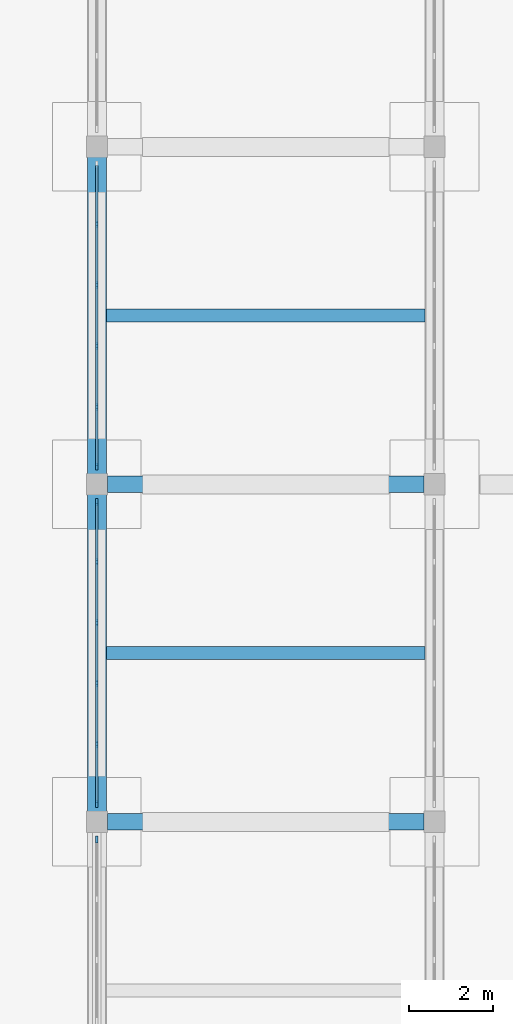
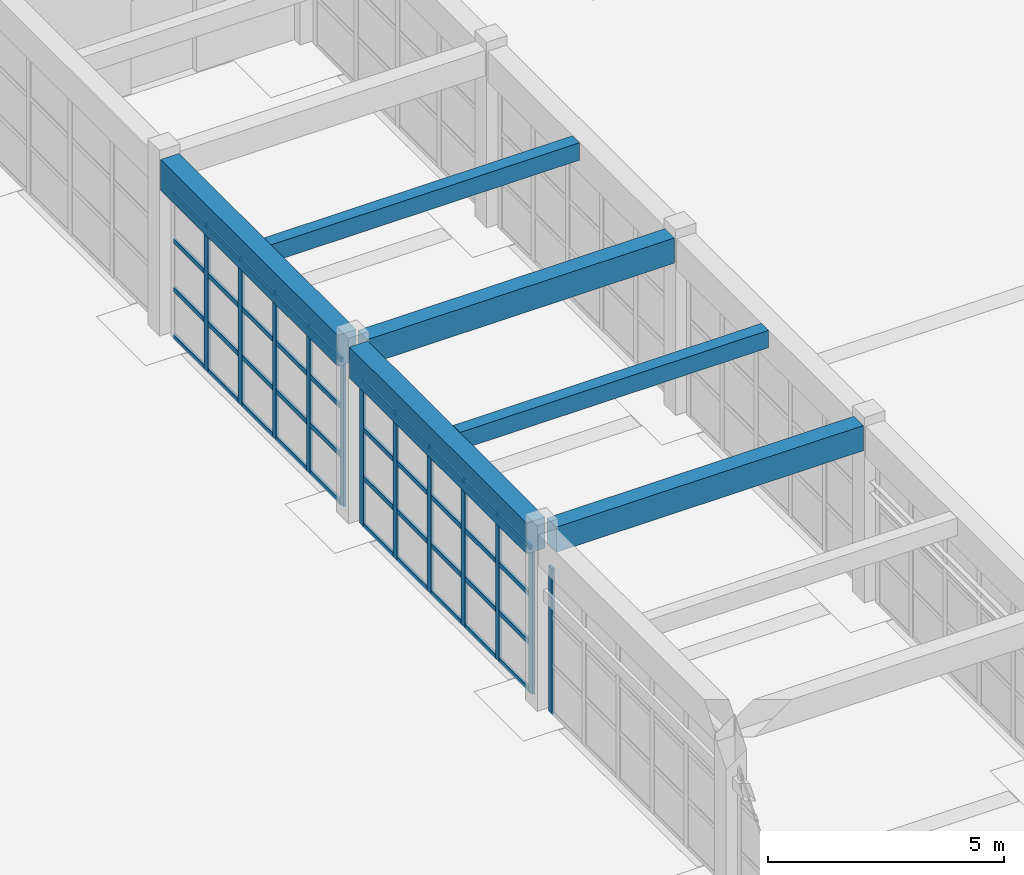
# One storey, part 24 of 68: 52 members, 6 beams, 3 elements without a shape of their own.
"""IFC4 building model written with IfcOpenShell, lengths in metres."""

from ifc_helpers import new_model, si_unit, direction, frame, origin, origin_2d, place, context, subcontext, project, spatial, rectangle, extrude, material, material_profile, profile_set, type_object, element, aggregate, save


model = new_model("IFC4")

# Units and contexts
model_context = context("Model", 3, precision=1e-05, world=origin(), true_north=direction((0.0, 1.0)))
body_context = subcontext(model_context, "Body", "Model", "MODEL_VIEW")
ifc_project = project(units=[si_unit("LENGTHUNIT", "METRE"), si_unit("AREAUNIT", "SQUARE_METRE"), si_unit("VOLUMEUNIT", "CUBIC_METRE"), si_unit("PLANEANGLEUNIT", "RADIAN"), si_unit("MASSUNIT", "GRAM", prefix="KILO")], contexts=[model_context])

# Site, building, storey
site_placement = place(None, origin())
site = spatial("IfcSite", under=ifc_project, at=site_placement, CompositionType="ELEMENT")
building_placement = place(site_placement, origin())
building = spatial("IfcBuilding", under=site, at=building_placement, Name="Serraluz Foothill Cableway Terminal", CompositionType="ELEMENT")
storey_placement = place(building_placement, origin())
storey = spatial("IfcBuildingStorey", under=building, at=storey_placement, Name="L00", CompositionType="ELEMENT", Elevation=0.0)

# Beams
ifc_material_1 = material(Name="Concrete C28/35 (f'c 28 MPa)", Category="concrete")
ifc_material_profile_1 = material_profile(ifc_material_1, rectangle(XDim=0.39990234375, YDim=0.64990234375, at=origin_2d()), Name="RC 400x650")
ifc_profile_set_1 = profile_set([ifc_material_profile_1], Name="Concrete C28/35 (f'c 28 MPa)")
beam_type_1 = type_object("IfcBeamType", Name="TYP-BM-RC400X650", PredefinedType="BEAM", material=ifc_profile_set_1)
for number, where, z_axis, x_axis, name in (
    (1, (120.24609375, 32.0, 4.235107421875), (1.0, 0.0, 0.0), (0.0, 1.0, 0.0), "Primary Girder BM-X-L00-0051"),
    (2, (120.24609375, 40.0, 4.235107421875), (1.0, 0.0, 0.0), (0.0, 1.0, 0.0), "Primary Girder BM-X-L00-0052"),
):
    element("IfcBeam", number, at=place(storey_placement, frame(where, z_axis=z_axis, x_axis=x_axis)), inside=storey, type_object=beam_type_1, Name=name, PredefinedType="BEAM", context=body_context, shape_type="SweptSolid", body=[
        extrude(rectangle(XDim=0.39990234375, YDim=0.64990234375, at=origin_2d()), origin(), (0.0, 0.0, 1.0), 7.5078125),
    ])
ifc_material_2 = material(Name="Concrete C35/45 (f'c 35 MPa)", Category="concrete")
ifc_material_profile_2 = material_profile(ifc_material_2, rectangle(XDim=0.449951171875, YDim=0.800048828125, at=origin_2d()), Name="RC 450x800")
ifc_profile_set_2 = profile_set([ifc_material_profile_2], Name="Concrete C35/45 (f'c 35 MPa)")
beam_type_2 = type_object("IfcBeamType", Name="TYP-BM-RC450X800", PredefinedType="BEAM", material=ifc_profile_set_2)
for number, where, z_axis, x_axis, name in (
    (3, (120.0, 32.24609375, 4.159912109375), (0.0, 1.0, 0.0), (-1.0, 0.0, 0.0), "Transverse Girder BM-Y-L00-0159"),
    (4, (120.0, 40.24609375, 4.159912109375), (0.0, 1.0, 0.0), (-1.0, 0.0, 0.0), "Transverse Girder BM-Y-L00-0160"),
):
    element("IfcBeam", number, at=place(storey_placement, frame(where, z_axis=z_axis, x_axis=x_axis)), inside=storey, type_object=beam_type_2, Name=name, PredefinedType="BEAM", context=body_context, shape_type="SweptSolid", body=[
        extrude(rectangle(XDim=0.449951171875, YDim=0.800048828125, at=origin_2d()), origin(), (0.0, 0.0, 1.0), 7.5078125),
    ])

# Curtain wall, member
ifc_material_3 = material(Name="Architectural bronze alloy C28000", Category="aluminium")
curtain_wall_type = type_object("IfcCurtainWallType", Name="TYP-CW-710X420", PredefinedType="NOTDEFINED", material=ifc_material_3)
curtain_wall_1_placement = place(storey_placement, origin())
curtain_wall_1 = element("IfcCurtainWall", 5, at=curtain_wall_1_placement, inside=storey, type_object=curtain_wall_type, Name="Ribbed Glazed Curtain Wall CW-CLW-L00-24", PredefinedType="NOTDEFINED")
ifc_material_profile_3 = material_profile(ifc_material_3, rectangle(XDim=0.06005859375, YDim=0.159912109375, at=origin_2d()), Name="ALU MULLION 60x160")
ifc_profile_set_3 = profile_set([ifc_material_profile_3], Name="Architectural bronze alloy C28000")
member_type_1 = type_object("IfcMemberType", Name="TYP-CW-MUL-60X160", PredefinedType="MULLION", material=ifc_profile_set_3)
member_1_placement = place(storey_placement, frame((120.0, 31.580078125, 0.0), z_axis=(0.0, 0.0, 1.0), x_axis=(-1.0, 0.0, 0.0)))
member_1 = element("IfcMember", 6, at=member_1_placement, type_object=member_type_1, Name="CW-01 mullion 6", PredefinedType="MULLION", context=body_context, shape_type="SweptSolid", body=[
    extrude(rectangle(XDim=0.06005859375, YDim=0.159912109375, at=origin_2d()), origin(), (0.0, 0.0, 1.0), 3.760009765625),
])
aggregate(curtain_wall_1, [member_1])

# Curtain wall, members
curtain_wall_2_placement = place(storey_placement, origin())
curtain_wall_2 = element("IfcCurtainWall", 7, at=curtain_wall_2_placement, inside=storey, type_object=curtain_wall_type, Name="Ribbed Glazed Curtain Wall CW-CLW-L00-32", PredefinedType="NOTDEFINED")
member_2_placement = place(storey_placement, frame((120.0, 32.419921875, 0.0), z_axis=(0.0, 0.0, 1.0), x_axis=(-1.0, 0.0, 0.0)))
member_2 = element("IfcMember", 8, at=member_2_placement, type_object=member_type_1, Name="CW-01 mullion 1", PredefinedType="MULLION", context=body_context, shape_type="SweptSolid", body=[
    extrude(rectangle(XDim=0.06005859375, YDim=0.159912109375, at=origin_2d()), origin(), (0.0, 0.0, 1.0), 3.760009765625),
])
member_3_placement = place(storey_placement, frame((120.0, 33.833984375, 0.0), z_axis=(0.0, 0.0, 1.0), x_axis=(-1.0, 0.0, 0.0)))
member_3 = element("IfcMember", 9, at=member_3_placement, type_object=member_type_1, Name="CW-01 mullion 2", PredefinedType="MULLION", context=body_context, shape_type="SweptSolid", body=[
    extrude(rectangle(XDim=0.06005859375, YDim=0.159912109375, at=origin_2d()), origin(), (0.0, 0.0, 1.0), 3.760009765625),
])
member_4_placement = place(storey_placement, frame((120.0, 35.278076171875, 0.0), z_axis=(0.0, 0.0, 1.0), x_axis=(-1.0, 0.0, 0.0)))
member_4 = element("IfcMember", 10, at=member_4_placement, type_object=member_type_1, Name="CW-01 mullion 3", PredefinedType="MULLION", context=body_context, shape_type="SweptSolid", body=[
    extrude(rectangle(XDim=0.06005859375, YDim=0.159912109375, at=origin_2d()), origin(), (0.0, 0.0, 1.0), 3.760009765625),
])
member_5_placement = place(storey_placement, frame((120.0, 36.721923828125, 0.0), z_axis=(0.0, 0.0, 1.0), x_axis=(-1.0, 0.0, 0.0)))
member_5 = element("IfcMember", 11, at=member_5_placement, type_object=member_type_1, Name="CW-01 mullion 4", PredefinedType="MULLION", context=body_context, shape_type="SweptSolid", body=[
    extrude(rectangle(XDim=0.06005859375, YDim=0.159912109375, at=origin_2d()), origin(), (0.0, 0.0, 1.0), 3.760009765625),
])
member_6_placement = place(storey_placement, frame((120.0, 38.166015625, 0.0), z_axis=(0.0, 0.0, 1.0), x_axis=(-1.0, 0.0, 0.0)))
member_6 = element("IfcMember", 12, at=member_6_placement, type_object=member_type_1, Name="CW-01 mullion 5", PredefinedType="MULLION", context=body_context, shape_type="SweptSolid", body=[
    extrude(rectangle(XDim=0.06005859375, YDim=0.159912109375, at=origin_2d()), origin(), (0.0, 0.0, 1.0), 3.760009765625),
])
member_7_placement = place(storey_placement, frame((120.0, 39.580078125, 0.0), z_axis=(0.0, 0.0, 1.0), x_axis=(-1.0, 0.0, 0.0)))
member_7 = element("IfcMember", 13, at=member_7_placement, type_object=member_type_1, Name="CW-01 mullion 6", PredefinedType="MULLION", context=body_context, shape_type="SweptSolid", body=[
    extrude(rectangle(XDim=0.06005859375, YDim=0.159912109375, at=origin_2d()), origin(), (0.0, 0.0, 1.0), 3.760009765625),
])

curtain_wall_3_placement = place(storey_placement, origin())
curtain_wall_3 = element("IfcCurtainWall", 14, at=curtain_wall_3_placement, inside=storey, type_object=curtain_wall_type, Name="Ribbed Glazed Curtain Wall CW-CLW-L00-40", PredefinedType="NOTDEFINED")
member_8_placement = place(storey_placement, frame((120.0, 40.419921875, 0.0), z_axis=(0.0, 0.0, 1.0), x_axis=(-1.0, 0.0, 0.0)))
member_8 = element("IfcMember", 15, at=member_8_placement, type_object=member_type_1, Name="CW-01 mullion 1", PredefinedType="MULLION", context=body_context, shape_type="SweptSolid", body=[
    extrude(rectangle(XDim=0.06005859375, YDim=0.159912109375, at=origin_2d()), origin(), (0.0, 0.0, 1.0), 3.760009765625),
])
member_9_placement = place(storey_placement, frame((120.0, 41.833984375, 0.0), z_axis=(0.0, 0.0, 1.0), x_axis=(-1.0, 0.0, 0.0)))
member_9 = element("IfcMember", 16, at=member_9_placement, type_object=member_type_1, Name="CW-01 mullion 2", PredefinedType="MULLION", context=body_context, shape_type="SweptSolid", body=[
    extrude(rectangle(XDim=0.06005859375, YDim=0.159912109375, at=origin_2d()), origin(), (0.0, 0.0, 1.0), 3.760009765625),
])
member_10_placement = place(storey_placement, frame((120.0, 43.278076171875, 0.0), z_axis=(0.0, 0.0, 1.0), x_axis=(-1.0, 0.0, 0.0)))
member_10 = element("IfcMember", 17, at=member_10_placement, type_object=member_type_1, Name="CW-01 mullion 3", PredefinedType="MULLION", context=body_context, shape_type="SweptSolid", body=[
    extrude(rectangle(XDim=0.06005859375, YDim=0.159912109375, at=origin_2d()), origin(), (0.0, 0.0, 1.0), 3.760009765625),
])
member_11_placement = place(storey_placement, frame((120.0, 44.721923828125, 0.0), z_axis=(0.0, 0.0, 1.0), x_axis=(-1.0, 0.0, 0.0)))
member_11 = element("IfcMember", 18, at=member_11_placement, type_object=member_type_1, Name="CW-01 mullion 4", PredefinedType="MULLION", context=body_context, shape_type="SweptSolid", body=[
    extrude(rectangle(XDim=0.06005859375, YDim=0.159912109375, at=origin_2d()), origin(), (0.0, 0.0, 1.0), 3.760009765625),
])
member_12_placement = place(storey_placement, frame((120.0, 46.166015625, 0.0), z_axis=(0.0, 0.0, 1.0), x_axis=(-1.0, 0.0, 0.0)))
member_12 = element("IfcMember", 19, at=member_12_placement, type_object=member_type_1, Name="CW-01 mullion 5", PredefinedType="MULLION", context=body_context, shape_type="SweptSolid", body=[
    extrude(rectangle(XDim=0.06005859375, YDim=0.159912109375, at=origin_2d()), origin(), (0.0, 0.0, 1.0), 3.760009765625),
])

# Member
ifc_material_profile_4 = material_profile(ifc_material_3, rectangle(XDim=0.06005859375, YDim=0.1201171875, at=origin_2d()), Name="ALU TRANSOM 60x120")
ifc_profile_set_4 = profile_set([ifc_material_profile_4], Name="Architectural bronze alloy C28000")
member_type_2 = type_object("IfcMemberType", Name="TYP-CW-TRN-60X120", PredefinedType="USERDEFINED", material=ifc_profile_set_4)
member_13_placement = place(storey_placement, frame((120.0, 32.449951171875, 0.030029296875), z_axis=(0.0, 1.0, 0.0), x_axis=(-1.0, 0.0, 0.0)))
member_13 = element("IfcMember", 20, at=member_13_placement, type_object=member_type_2, Name="CW-01 transom 1.1", ObjectType="TRANSOM", PredefinedType="USERDEFINED", context=body_context, shape_type="SweptSolid", body=[
    extrude(rectangle(XDim=0.06005859375, YDim=0.1201171875, at=origin_2d()), origin(), (0.0, 0.0, 1.0), 1.35400390625),
])

member_14_placement = place(storey_placement, frame((120.0, 32.449951171875, 1.25341796875), z_axis=(0.0, 1.0, 0.0), x_axis=(-1.0, 0.0, 0.0)))
member_14 = element("IfcMember", 21, at=member_14_placement, type_object=member_type_2, Name="CW-01 transom 1.2", ObjectType="TRANSOM", PredefinedType="USERDEFINED", context=body_context, shape_type="SweptSolid", body=[
    extrude(rectangle(XDim=0.06005859375, YDim=0.1201171875, at=origin_2d()), origin(), (0.0, 0.0, 1.0), 1.35400390625),
])

member_15_placement = place(storey_placement, frame((120.0, 32.449951171875, 2.506591796875), z_axis=(0.0, 1.0, 0.0), x_axis=(-1.0, 0.0, 0.0)))
member_15 = element("IfcMember", 22, at=member_15_placement, type_object=member_type_2, Name="CW-01 transom 1.3", ObjectType="TRANSOM", PredefinedType="USERDEFINED", context=body_context, shape_type="SweptSolid", body=[
    extrude(rectangle(XDim=0.06005859375, YDim=0.1201171875, at=origin_2d()), origin(), (0.0, 0.0, 1.0), 1.35400390625),
])

member_16_placement = place(storey_placement, frame((120.0, 32.449951171875, 3.72998046875), z_axis=(0.0, 1.0, 0.0), x_axis=(-1.0, 0.0, 0.0)))
member_16 = element("IfcMember", 23, at=member_16_placement, type_object=member_type_2, Name="CW-01 transom 1.4", ObjectType="TRANSOM", PredefinedType="USERDEFINED", context=body_context, shape_type="SweptSolid", body=[
    extrude(rectangle(XDim=0.06005859375, YDim=0.1201171875, at=origin_2d()), origin(), (0.0, 0.0, 1.0), 1.35400390625),
])

member_17_placement = place(storey_placement, frame((120.0, 33.864013671875, 0.030029296875), z_axis=(0.0, 1.0, 0.0), x_axis=(-1.0, 0.0, 0.0)))
member_17 = element("IfcMember", 24, at=member_17_placement, type_object=member_type_2, Name="CW-01 transom 2.1", ObjectType="TRANSOM", PredefinedType="USERDEFINED", context=body_context, shape_type="SweptSolid", body=[
    extrude(rectangle(XDim=0.06005859375, YDim=0.1201171875, at=origin_2d()), origin(), (0.0, 0.0, 1.0), 1.384033203125),
])

member_18_placement = place(storey_placement, frame((120.0, 33.864013671875, 1.25341796875), z_axis=(0.0, 1.0, 0.0), x_axis=(-1.0, 0.0, 0.0)))
member_18 = element("IfcMember", 25, at=member_18_placement, type_object=member_type_2, Name="CW-01 transom 2.2", ObjectType="TRANSOM", PredefinedType="USERDEFINED", context=body_context, shape_type="SweptSolid", body=[
    extrude(rectangle(XDim=0.06005859375, YDim=0.1201171875, at=origin_2d()), origin(), (0.0, 0.0, 1.0), 1.384033203125),
])

member_19_placement = place(storey_placement, frame((120.0, 33.864013671875, 2.506591796875), z_axis=(0.0, 1.0, 0.0), x_axis=(-1.0, 0.0, 0.0)))
member_19 = element("IfcMember", 26, at=member_19_placement, type_object=member_type_2, Name="CW-01 transom 2.3", ObjectType="TRANSOM", PredefinedType="USERDEFINED", context=body_context, shape_type="SweptSolid", body=[
    extrude(rectangle(XDim=0.06005859375, YDim=0.1201171875, at=origin_2d()), origin(), (0.0, 0.0, 1.0), 1.384033203125),
])

member_20_placement = place(storey_placement, frame((120.0, 33.864013671875, 3.72998046875), z_axis=(0.0, 1.0, 0.0), x_axis=(-1.0, 0.0, 0.0)))
member_20 = element("IfcMember", 27, at=member_20_placement, type_object=member_type_2, Name="CW-01 transom 2.4", ObjectType="TRANSOM", PredefinedType="USERDEFINED", context=body_context, shape_type="SweptSolid", body=[
    extrude(rectangle(XDim=0.06005859375, YDim=0.1201171875, at=origin_2d()), origin(), (0.0, 0.0, 1.0), 1.384033203125),
])

member_21_placement = place(storey_placement, frame((120.0, 35.30810546875, 0.030029296875), z_axis=(0.0, 1.0, 0.0), x_axis=(-1.0, 0.0, 0.0)))
member_21 = element("IfcMember", 28, at=member_21_placement, type_object=member_type_2, Name="CW-01 transom 3.1", ObjectType="TRANSOM", PredefinedType="USERDEFINED", context=body_context, shape_type="SweptSolid", body=[
    extrude(rectangle(XDim=0.06005859375, YDim=0.1201171875, at=origin_2d()), origin(), (0.0, 0.0, 1.0), 1.3837890625),
])

member_22_placement = place(storey_placement, frame((120.0, 35.30810546875, 1.25341796875), z_axis=(0.0, 1.0, 0.0), x_axis=(-1.0, 0.0, 0.0)))
member_22 = element("IfcMember", 29, at=member_22_placement, type_object=member_type_2, Name="CW-01 transom 3.2", ObjectType="TRANSOM", PredefinedType="USERDEFINED", context=body_context, shape_type="SweptSolid", body=[
    extrude(rectangle(XDim=0.06005859375, YDim=0.1201171875, at=origin_2d()), origin(), (0.0, 0.0, 1.0), 1.3837890625),
])

member_23_placement = place(storey_placement, frame((120.0, 35.30810546875, 2.506591796875), z_axis=(0.0, 1.0, 0.0), x_axis=(-1.0, 0.0, 0.0)))
member_23 = element("IfcMember", 30, at=member_23_placement, type_object=member_type_2, Name="CW-01 transom 3.3", ObjectType="TRANSOM", PredefinedType="USERDEFINED", context=body_context, shape_type="SweptSolid", body=[
    extrude(rectangle(XDim=0.06005859375, YDim=0.1201171875, at=origin_2d()), origin(), (0.0, 0.0, 1.0), 1.3837890625),
])

member_24_placement = place(storey_placement, frame((120.0, 35.30810546875, 3.72998046875), z_axis=(0.0, 1.0, 0.0), x_axis=(-1.0, 0.0, 0.0)))
member_24 = element("IfcMember", 31, at=member_24_placement, type_object=member_type_2, Name="CW-01 transom 3.4", ObjectType="TRANSOM", PredefinedType="USERDEFINED", context=body_context, shape_type="SweptSolid", body=[
    extrude(rectangle(XDim=0.06005859375, YDim=0.1201171875, at=origin_2d()), origin(), (0.0, 0.0, 1.0), 1.3837890625),
])

member_25_placement = place(storey_placement, frame((120.0, 36.751953125, 0.030029296875), z_axis=(0.0, 1.0, 0.0), x_axis=(-1.0, 0.0, 0.0)))
member_25 = element("IfcMember", 32, at=member_25_placement, type_object=member_type_2, Name="CW-01 transom 4.1", ObjectType="TRANSOM", PredefinedType="USERDEFINED", context=body_context, shape_type="SweptSolid", body=[
    extrude(rectangle(XDim=0.06005859375, YDim=0.1201171875, at=origin_2d()), origin(), (0.0, 0.0, 1.0), 1.384033203125),
])

member_26_placement = place(storey_placement, frame((120.0, 36.751953125, 1.25341796875), z_axis=(0.0, 1.0, 0.0), x_axis=(-1.0, 0.0, 0.0)))
member_26 = element("IfcMember", 33, at=member_26_placement, type_object=member_type_2, Name="CW-01 transom 4.2", ObjectType="TRANSOM", PredefinedType="USERDEFINED", context=body_context, shape_type="SweptSolid", body=[
    extrude(rectangle(XDim=0.06005859375, YDim=0.1201171875, at=origin_2d()), origin(), (0.0, 0.0, 1.0), 1.384033203125),
])

member_27_placement = place(storey_placement, frame((120.0, 36.751953125, 2.506591796875), z_axis=(0.0, 1.0, 0.0), x_axis=(-1.0, 0.0, 0.0)))
member_27 = element("IfcMember", 34, at=member_27_placement, type_object=member_type_2, Name="CW-01 transom 4.3", ObjectType="TRANSOM", PredefinedType="USERDEFINED", context=body_context, shape_type="SweptSolid", body=[
    extrude(rectangle(XDim=0.06005859375, YDim=0.1201171875, at=origin_2d()), origin(), (0.0, 0.0, 1.0), 1.384033203125),
])

member_28_placement = place(storey_placement, frame((120.0, 36.751953125, 3.72998046875), z_axis=(0.0, 1.0, 0.0), x_axis=(-1.0, 0.0, 0.0)))
member_28 = element("IfcMember", 35, at=member_28_placement, type_object=member_type_2, Name="CW-01 transom 4.4", ObjectType="TRANSOM", PredefinedType="USERDEFINED", context=body_context, shape_type="SweptSolid", body=[
    extrude(rectangle(XDim=0.06005859375, YDim=0.1201171875, at=origin_2d()), origin(), (0.0, 0.0, 1.0), 1.384033203125),
])

member_29_placement = place(storey_placement, frame((120.0, 38.196044921875, 0.030029296875), z_axis=(0.0, 1.0, 0.0), x_axis=(-1.0, 0.0, 0.0)))
member_29 = element("IfcMember", 36, at=member_29_placement, type_object=member_type_2, Name="CW-01 transom 5.1", ObjectType="TRANSOM", PredefinedType="USERDEFINED", context=body_context, shape_type="SweptSolid", body=[
    extrude(rectangle(XDim=0.06005859375, YDim=0.1201171875, at=origin_2d()), origin(), (0.0, 0.0, 1.0), 1.35400390625),
])

member_30_placement = place(storey_placement, frame((120.0, 38.196044921875, 1.25341796875), z_axis=(0.0, 1.0, 0.0), x_axis=(-1.0, 0.0, 0.0)))
member_30 = element("IfcMember", 37, at=member_30_placement, type_object=member_type_2, Name="CW-01 transom 5.2", ObjectType="TRANSOM", PredefinedType="USERDEFINED", context=body_context, shape_type="SweptSolid", body=[
    extrude(rectangle(XDim=0.06005859375, YDim=0.1201171875, at=origin_2d()), origin(), (0.0, 0.0, 1.0), 1.35400390625),
])

member_31_placement = place(storey_placement, frame((120.0, 38.196044921875, 2.506591796875), z_axis=(0.0, 1.0, 0.0), x_axis=(-1.0, 0.0, 0.0)))
member_31 = element("IfcMember", 38, at=member_31_placement, type_object=member_type_2, Name="CW-01 transom 5.3", ObjectType="TRANSOM", PredefinedType="USERDEFINED", context=body_context, shape_type="SweptSolid", body=[
    extrude(rectangle(XDim=0.06005859375, YDim=0.1201171875, at=origin_2d()), origin(), (0.0, 0.0, 1.0), 1.35400390625),
])

member_32_placement = place(storey_placement, frame((120.0, 38.196044921875, 3.72998046875), z_axis=(0.0, 1.0, 0.0), x_axis=(-1.0, 0.0, 0.0)))
member_32 = element("IfcMember", 39, at=member_32_placement, type_object=member_type_2, Name="CW-01 transom 5.4", ObjectType="TRANSOM", PredefinedType="USERDEFINED", context=body_context, shape_type="SweptSolid", body=[
    extrude(rectangle(XDim=0.06005859375, YDim=0.1201171875, at=origin_2d()), origin(), (0.0, 0.0, 1.0), 1.35400390625),
])

aggregate(curtain_wall_2, [member_2, member_3, member_4, member_5, member_6, member_7, member_13, member_14, member_15, member_16, member_17, member_18, member_19, member_20, member_21, member_22, member_23, member_24, member_25, member_26, member_27, member_28, member_29, member_30, member_31, member_32])

member_33_placement = place(storey_placement, frame((120.0, 40.449951171875, 0.030029296875), z_axis=(0.0, 1.0, 0.0), x_axis=(-1.0, 0.0, 0.0)))
member_33 = element("IfcMember", 40, at=member_33_placement, type_object=member_type_2, Name="CW-01 transom 1.1", ObjectType="TRANSOM", PredefinedType="USERDEFINED", context=body_context, shape_type="SweptSolid", body=[
    extrude(rectangle(XDim=0.06005859375, YDim=0.1201171875, at=origin_2d()), origin(), (0.0, 0.0, 1.0), 1.35400390625),
])

member_34_placement = place(storey_placement, frame((120.0, 40.449951171875, 1.25341796875), z_axis=(0.0, 1.0, 0.0), x_axis=(-1.0, 0.0, 0.0)))
member_34 = element("IfcMember", 41, at=member_34_placement, type_object=member_type_2, Name="CW-01 transom 1.2", ObjectType="TRANSOM", PredefinedType="USERDEFINED", context=body_context, shape_type="SweptSolid", body=[
    extrude(rectangle(XDim=0.06005859375, YDim=0.1201171875, at=origin_2d()), origin(), (0.0, 0.0, 1.0), 1.35400390625),
])

member_35_placement = place(storey_placement, frame((120.0, 40.449951171875, 2.506591796875), z_axis=(0.0, 1.0, 0.0), x_axis=(-1.0, 0.0, 0.0)))
member_35 = element("IfcMember", 42, at=member_35_placement, type_object=member_type_2, Name="CW-01 transom 1.3", ObjectType="TRANSOM", PredefinedType="USERDEFINED", context=body_context, shape_type="SweptSolid", body=[
    extrude(rectangle(XDim=0.06005859375, YDim=0.1201171875, at=origin_2d()), origin(), (0.0, 0.0, 1.0), 1.35400390625),
])

member_36_placement = place(storey_placement, frame((120.0, 40.449951171875, 3.72998046875), z_axis=(0.0, 1.0, 0.0), x_axis=(-1.0, 0.0, 0.0)))
member_36 = element("IfcMember", 43, at=member_36_placement, type_object=member_type_2, Name="CW-01 transom 1.4", ObjectType="TRANSOM", PredefinedType="USERDEFINED", context=body_context, shape_type="SweptSolid", body=[
    extrude(rectangle(XDim=0.06005859375, YDim=0.1201171875, at=origin_2d()), origin(), (0.0, 0.0, 1.0), 1.35400390625),
])

member_37_placement = place(storey_placement, frame((120.0, 41.864013671875, 0.030029296875), z_axis=(0.0, 1.0, 0.0), x_axis=(-1.0, 0.0, 0.0)))
member_37 = element("IfcMember", 44, at=member_37_placement, type_object=member_type_2, Name="CW-01 transom 2.1", ObjectType="TRANSOM", PredefinedType="USERDEFINED", context=body_context, shape_type="SweptSolid", body=[
    extrude(rectangle(XDim=0.06005859375, YDim=0.1201171875, at=origin_2d()), origin(), (0.0, 0.0, 1.0), 1.384033203125),
])

member_38_placement = place(storey_placement, frame((120.0, 41.864013671875, 1.25341796875), z_axis=(0.0, 1.0, 0.0), x_axis=(-1.0, 0.0, 0.0)))
member_38 = element("IfcMember", 45, at=member_38_placement, type_object=member_type_2, Name="CW-01 transom 2.2", ObjectType="TRANSOM", PredefinedType="USERDEFINED", context=body_context, shape_type="SweptSolid", body=[
    extrude(rectangle(XDim=0.06005859375, YDim=0.1201171875, at=origin_2d()), origin(), (0.0, 0.0, 1.0), 1.384033203125),
])

member_39_placement = place(storey_placement, frame((120.0, 41.864013671875, 2.506591796875), z_axis=(0.0, 1.0, 0.0), x_axis=(-1.0, 0.0, 0.0)))
member_39 = element("IfcMember", 46, at=member_39_placement, type_object=member_type_2, Name="CW-01 transom 2.3", ObjectType="TRANSOM", PredefinedType="USERDEFINED", context=body_context, shape_type="SweptSolid", body=[
    extrude(rectangle(XDim=0.06005859375, YDim=0.1201171875, at=origin_2d()), origin(), (0.0, 0.0, 1.0), 1.384033203125),
])

member_40_placement = place(storey_placement, frame((120.0, 41.864013671875, 3.72998046875), z_axis=(0.0, 1.0, 0.0), x_axis=(-1.0, 0.0, 0.0)))
member_40 = element("IfcMember", 47, at=member_40_placement, type_object=member_type_2, Name="CW-01 transom 2.4", ObjectType="TRANSOM", PredefinedType="USERDEFINED", context=body_context, shape_type="SweptSolid", body=[
    extrude(rectangle(XDim=0.06005859375, YDim=0.1201171875, at=origin_2d()), origin(), (0.0, 0.0, 1.0), 1.384033203125),
])

member_41_placement = place(storey_placement, frame((120.0, 43.30810546875, 0.030029296875), z_axis=(0.0, 1.0, 0.0), x_axis=(-1.0, 0.0, 0.0)))
member_41 = element("IfcMember", 48, at=member_41_placement, type_object=member_type_2, Name="CW-01 transom 3.1", ObjectType="TRANSOM", PredefinedType="USERDEFINED", context=body_context, shape_type="SweptSolid", body=[
    extrude(rectangle(XDim=0.06005859375, YDim=0.1201171875, at=origin_2d()), origin(), (0.0, 0.0, 1.0), 1.3837890625),
])

member_42_placement = place(storey_placement, frame((120.0, 43.30810546875, 1.25341796875), z_axis=(0.0, 1.0, 0.0), x_axis=(-1.0, 0.0, 0.0)))
member_42 = element("IfcMember", 49, at=member_42_placement, type_object=member_type_2, Name="CW-01 transom 3.2", ObjectType="TRANSOM", PredefinedType="USERDEFINED", context=body_context, shape_type="SweptSolid", body=[
    extrude(rectangle(XDim=0.06005859375, YDim=0.1201171875, at=origin_2d()), origin(), (0.0, 0.0, 1.0), 1.3837890625),
])

member_43_placement = place(storey_placement, frame((120.0, 43.30810546875, 2.506591796875), z_axis=(0.0, 1.0, 0.0), x_axis=(-1.0, 0.0, 0.0)))
member_43 = element("IfcMember", 50, at=member_43_placement, type_object=member_type_2, Name="CW-01 transom 3.3", ObjectType="TRANSOM", PredefinedType="USERDEFINED", context=body_context, shape_type="SweptSolid", body=[
    extrude(rectangle(XDim=0.06005859375, YDim=0.1201171875, at=origin_2d()), origin(), (0.0, 0.0, 1.0), 1.3837890625),
])

member_44_placement = place(storey_placement, frame((120.0, 43.30810546875, 3.72998046875), z_axis=(0.0, 1.0, 0.0), x_axis=(-1.0, 0.0, 0.0)))
member_44 = element("IfcMember", 51, at=member_44_placement, type_object=member_type_2, Name="CW-01 transom 3.4", ObjectType="TRANSOM", PredefinedType="USERDEFINED", context=body_context, shape_type="SweptSolid", body=[
    extrude(rectangle(XDim=0.06005859375, YDim=0.1201171875, at=origin_2d()), origin(), (0.0, 0.0, 1.0), 1.3837890625),
])

member_45_placement = place(storey_placement, frame((120.0, 44.751953125, 0.030029296875), z_axis=(0.0, 1.0, 0.0), x_axis=(-1.0, 0.0, 0.0)))
member_45 = element("IfcMember", 52, at=member_45_placement, type_object=member_type_2, Name="CW-01 transom 4.1", ObjectType="TRANSOM", PredefinedType="USERDEFINED", context=body_context, shape_type="SweptSolid", body=[
    extrude(rectangle(XDim=0.06005859375, YDim=0.1201171875, at=origin_2d()), origin(), (0.0, 0.0, 1.0), 1.384033203125),
])

member_46_placement = place(storey_placement, frame((120.0, 44.751953125, 1.25341796875), z_axis=(0.0, 1.0, 0.0), x_axis=(-1.0, 0.0, 0.0)))
member_46 = element("IfcMember", 53, at=member_46_placement, type_object=member_type_2, Name="CW-01 transom 4.2", ObjectType="TRANSOM", PredefinedType="USERDEFINED", context=body_context, shape_type="SweptSolid", body=[
    extrude(rectangle(XDim=0.06005859375, YDim=0.1201171875, at=origin_2d()), origin(), (0.0, 0.0, 1.0), 1.384033203125),
])

member_47_placement = place(storey_placement, frame((120.0, 44.751953125, 2.506591796875), z_axis=(0.0, 1.0, 0.0), x_axis=(-1.0, 0.0, 0.0)))
member_47 = element("IfcMember", 54, at=member_47_placement, type_object=member_type_2, Name="CW-01 transom 4.3", ObjectType="TRANSOM", PredefinedType="USERDEFINED", context=body_context, shape_type="SweptSolid", body=[
    extrude(rectangle(XDim=0.06005859375, YDim=0.1201171875, at=origin_2d()), origin(), (0.0, 0.0, 1.0), 1.384033203125),
])

member_48_placement = place(storey_placement, frame((120.0, 44.751953125, 3.72998046875), z_axis=(0.0, 1.0, 0.0), x_axis=(-1.0, 0.0, 0.0)))
member_48 = element("IfcMember", 55, at=member_48_placement, type_object=member_type_2, Name="CW-01 transom 4.4", ObjectType="TRANSOM", PredefinedType="USERDEFINED", context=body_context, shape_type="SweptSolid", body=[
    extrude(rectangle(XDim=0.06005859375, YDim=0.1201171875, at=origin_2d()), origin(), (0.0, 0.0, 1.0), 1.384033203125),
])

member_49_placement = place(storey_placement, frame((120.0, 46.196044921875, 0.030029296875), z_axis=(0.0, 1.0, 0.0), x_axis=(-1.0, 0.0, 0.0)))
member_49 = element("IfcMember", 56, at=member_49_placement, type_object=member_type_2, Name="CW-01 transom 5.1", ObjectType="TRANSOM", PredefinedType="USERDEFINED", context=body_context, shape_type="SweptSolid", body=[
    extrude(rectangle(XDim=0.06005859375, YDim=0.1201171875, at=origin_2d()), origin(), (0.0, 0.0, 1.0), 1.35400390625),
])

member_50_placement = place(storey_placement, frame((120.0, 46.196044921875, 1.25341796875), z_axis=(0.0, 1.0, 0.0), x_axis=(-1.0, 0.0, 0.0)))
member_50 = element("IfcMember", 57, at=member_50_placement, type_object=member_type_2, Name="CW-01 transom 5.2", ObjectType="TRANSOM", PredefinedType="USERDEFINED", context=body_context, shape_type="SweptSolid", body=[
    extrude(rectangle(XDim=0.06005859375, YDim=0.1201171875, at=origin_2d()), origin(), (0.0, 0.0, 1.0), 1.35400390625),
])

member_51_placement = place(storey_placement, frame((120.0, 46.196044921875, 2.506591796875), z_axis=(0.0, 1.0, 0.0), x_axis=(-1.0, 0.0, 0.0)))
member_51 = element("IfcMember", 58, at=member_51_placement, type_object=member_type_2, Name="CW-01 transom 5.3", ObjectType="TRANSOM", PredefinedType="USERDEFINED", context=body_context, shape_type="SweptSolid", body=[
    extrude(rectangle(XDim=0.06005859375, YDim=0.1201171875, at=origin_2d()), origin(), (0.0, 0.0, 1.0), 1.35400390625),
])

member_52_placement = place(storey_placement, frame((120.0, 46.196044921875, 3.72998046875), z_axis=(0.0, 1.0, 0.0), x_axis=(-1.0, 0.0, 0.0)))
member_52 = element("IfcMember", 59, at=member_52_placement, type_object=member_type_2, Name="CW-01 transom 5.4", ObjectType="TRANSOM", PredefinedType="USERDEFINED", context=body_context, shape_type="SweptSolid", body=[
    extrude(rectangle(XDim=0.06005859375, YDim=0.1201171875, at=origin_2d()), origin(), (0.0, 0.0, 1.0), 1.35400390625),
])

aggregate(curtain_wall_3, [member_8, member_9, member_10, member_11, member_12, member_33, member_34, member_35, member_36, member_37, member_38, member_39, member_40, member_41, member_42, member_43, member_44, member_45, member_46, member_47, member_48, member_49, member_50, member_51, member_52])

# Beams
ifc_material_profile_5 = material_profile(ifc_material_1, rectangle(XDim=0.300048828125, YDim=0.449951171875, at=origin_2d()), Name="RC 300x450")
ifc_profile_set_5 = profile_set([ifc_material_profile_5], Name="Concrete C28/35 (f'c 28 MPa)")
beam_type_3 = type_object("IfcBeamType", Name="TYP-JS-RC300X450", PredefinedType="JOIST", material=ifc_profile_set_5)
for number, where, z_axis, x_axis, name in (
    (60, (120.22998046875, 36.0, 4.3349609375), (1.0, 0.0, 0.0), (0.0, 1.0, 0.0), "Secondary Floor Joist JS-L00-0051"),
    (61, (120.22998046875, 44.0, 4.3349609375), (1.0, 0.0, 0.0), (0.0, 1.0, 0.0), "Secondary Floor Joist JS-L00-0052"),
):
    element("IfcBeam", number, at=place(storey_placement, frame(where, z_axis=z_axis, x_axis=x_axis)), inside=storey, type_object=beam_type_3, Name=name, PredefinedType="JOIST", context=body_context, shape_type="SweptSolid", body=[
        extrude(rectangle(XDim=0.300048828125, YDim=0.449951171875, at=origin_2d()), origin(), (0.0, 0.0, 1.0), 7.5400390625),
    ])

save(model, "model.ifc")
